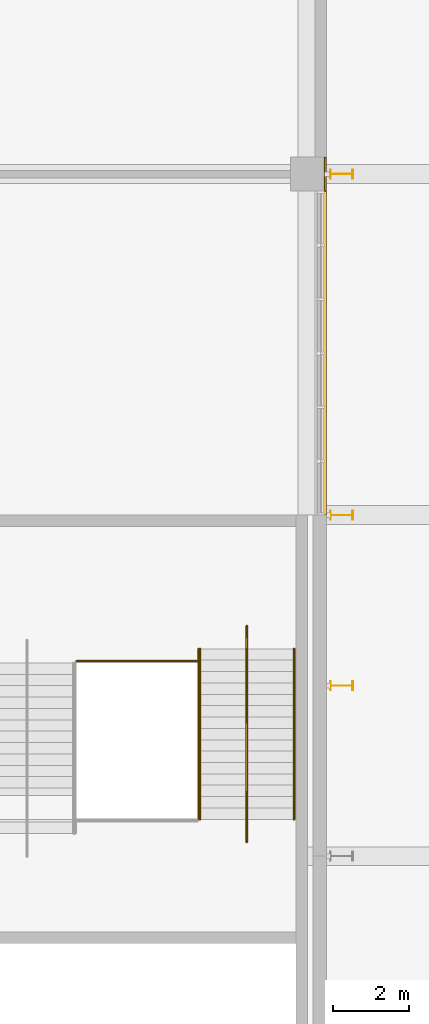
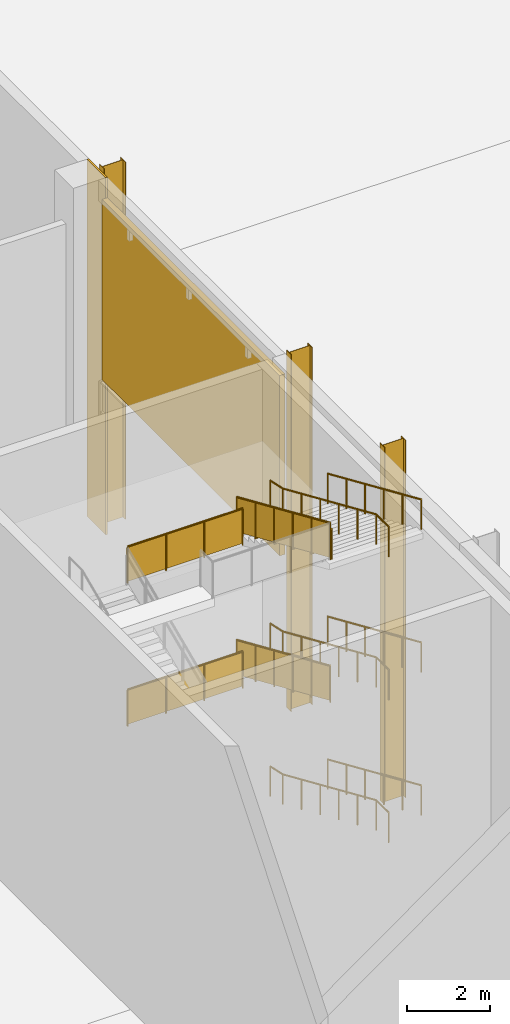
# One storey, part 168 of 182: 11 railings, 3 shading devices, 2 coverings.
"""IFC4 building model written with IfcOpenShell, lengths in metres."""

import ifcopenshell
import ifcopenshell.guid

model = None  # the IFC model being written
_history = None  # IfcOwnerHistory: only IFC2X3 demands one
_inside = {}  # id of a spatial element -> (the spatial element, [elements in it])
_under = {}  # id of a project, library or spatial element -> (it, [spatial elements below it])
_declared = {}  # id of a project -> (the project, [libraries it declares])
_typed = {}  # id of a type object -> (the type object, [elements of that type])
_made_of = {}  # id of a material, layer set ... -> (it, [elements and type objects made of it])


def new_model(schema):
    """Start an empty IFC model of exactly this schema.

    Asked for "IFC4X3", IfcOpenShell would pick the latest addendum, in which some entities
    have other attributes; the version numbers below select the first issue.
    IFC2X3 requires an IfcOwnerHistory on every rooted entity: one is made here for all.
    """
    global model, _history
    if schema == "IFC4X3":
        model = ifcopenshell.file(schema_version=(4, 3, 0, 0))
    else:
        model = ifcopenshell.file(schema=schema)
    _inside.clear()
    _under.clear()
    _declared.clear()
    _typed.clear()
    _made_of.clear()
    _history = None
    if model.schema == "IFC2X3":
        org = make("IfcOrganization", Name="unknown")
        user = make(
            "IfcPersonAndOrganization",
            ThePerson=make("IfcPerson", FamilyName="unknown"),
            TheOrganization=org,
        )
        app = make(
            "IfcApplication",
            ApplicationDeveloper=org,
            Version="unknown",
            ApplicationFullName="unknown",
            ApplicationIdentifier="unknown",
        )
        _history = make(
            "IfcOwnerHistory",
            OwningUser=user,
            OwningApplication=app,
            ChangeAction="ADDED",
            CreationDate=0,
        )
    return model


def make(cls, **values):
    """One entity of the class cls with the attributes given. An attribute that is None is left unset."""
    return model.create_entity(
        cls, **{name: value for name, value in values.items() if value is not None}
    )


def rooted(cls, **values):
    """An entity with a GlobalId (a new one), such as an element, a storey or a relation."""
    return make(cls, GlobalId=ifcopenshell.guid.new(), OwnerHistory=_history, **values)


def si_unit(unit_type, name, prefix=None):
    """IfcSIUnit, for example si_unit("LENGTHUNIT", "METRE", prefix="MILLI")."""
    return make("IfcSIUnit", UnitType=unit_type, Prefix=prefix, Name=name)


def assignment(units):
    """IfcUnitAssignment: the units of a project."""
    return None if units is None else make("IfcUnitAssignment", Units=units)


def point(xyz):
    """IfcCartesianPoint."""
    return None if xyz is None else make("IfcCartesianPoint", Coordinates=xyz)


def direction(xyz):
    """IfcDirection."""
    return None if xyz is None else make("IfcDirection", DirectionRatios=xyz)


def frame(location, z_axis=None, x_axis=None):
    """IfcAxis2Placement3D, a coordinate frame: its origin and axes. An axis left out is left unset."""
    return make(
        "IfcAxis2Placement3D",
        Location=point(location),
        Axis=direction(z_axis),
        RefDirection=direction(x_axis),
    )


def frame_2d(location, x_axis=None):
    """IfcAxis2Placement2D, a coordinate frame in the plane: its origin and x axis."""
    return make(
        "IfcAxis2Placement2D", Location=point(location), RefDirection=direction(x_axis)
    )


def origin():
    """The frame at (0, 0, 0) with its axes left unset."""
    return frame((0.0, 0.0, 0.0))


def origin_2d():
    """The frame at (0, 0) in the plane with its x axis left unset."""
    return frame_2d((0.0, 0.0))


def place(relative_to, where):
    """IfcLocalPlacement: puts the frame where relative to a parent placement (None: the world)."""
    return make(
        "IfcLocalPlacement", PlacementRelTo=relative_to, RelativePlacement=where
    )


def context(
    kind, dimensions, precision=None, world=None, true_north=None, identifier=None
):
    """IfcGeometricRepresentationContext, for example the 3D "Model" context."""
    return make(
        "IfcGeometricRepresentationContext",
        ContextIdentifier=identifier,
        ContextType=kind,
        CoordinateSpaceDimension=dimensions,
        Precision=precision,
        WorldCoordinateSystem=world,
        TrueNorth=true_north,
    )


def subcontext(parent, identifier, kind, view, scale=None):
    """IfcGeometricRepresentationSubContext, for example "Body" below "Model"."""
    return make(
        "IfcGeometricRepresentationSubContext",
        ContextIdentifier=identifier,
        ContextType=kind,
        ParentContext=parent,
        TargetScale=scale,
        TargetView=view,
    )


def project(units=None, contexts=None):
    """IfcProject with its units and contexts."""
    return rooted(
        "IfcProject",
        Name="project",
        RepresentationContexts=contexts,
        UnitsInContext=assignment(units),
    )


def spatial(cls, under=None, at=None, **own):
    """A site, building, storey or space (cls), placed at a placement, below another one or the project."""
    s = rooted(cls, ObjectPlacement=at, **own)
    if under is not None:
        _under.setdefault(under.id(), (under, []))[1].append(s)
    return s


def polyline(points):
    """IfcPolyline through the points."""
    return make("IfcPolyline", Points=[point(p) for p in points])


def profile(cls, at=None, kind="AREA", **sizes):
    """A parametric profile (cls). Its sizes go by their IFC names, for example OverallWidth=200.0."""
    return make(cls, ProfileType=kind, Position=at, **sizes)


def circle(**sizes):
    """IfcCircleProfileDef."""
    return profile("IfcCircleProfileDef", **sizes)


def i_section(**sizes):
    """IfcIShapeProfileDef."""
    return profile("IfcIShapeProfileDef", **sizes)


def outline(outer, holes=None, kind="AREA"):
    """IfcArbitraryClosedProfileDef: a profile drawn as a closed curve; with holes, ...WithVoids."""
    if holes is None:
        return make("IfcArbitraryClosedProfileDef", ProfileType=kind, OuterCurve=outer)
    return make(
        "IfcArbitraryProfileDefWithVoids",
        ProfileType=kind,
        OuterCurve=outer,
        InnerCurves=holes,
    )


def extrude(swept, where, along, depth):
    """IfcExtrudedAreaSolid: the profile swept, set in the frame where, extruded along a direction by depth."""
    return make(
        "IfcExtrudedAreaSolid",
        SweptArea=swept,
        Position=where,
        ExtrudedDirection=direction(along),
        Depth=depth,
    )


def shape(context_of_items, identifier, shape_type, items):
    """IfcShapeRepresentation: the items that make up one representation, for example the "Body"."""
    return make(
        "IfcShapeRepresentation",
        ContextOfItems=context_of_items,
        RepresentationIdentifier=identifier,
        RepresentationType=shape_type,
        Items=items,
    )


def material(Name=None, Category=None):
    """IfcMaterial."""
    return make("IfcMaterial", Name=Name, Category=Category)


def layer(
    of_material, thickness, ventilated=None, Name=None, Category=None, Priority=None
):
    """IfcMaterialLayer: one layer of a wall or slab, of a material (None: an air gap)."""
    return make(
        "IfcMaterialLayer",
        Material=of_material,
        LayerThickness=thickness,
        IsVentilated=ventilated,
        Name=Name,
        Category=Category,
        Priority=Priority,
    )


def layer_set(layers, Name=None):
    """IfcMaterialLayerSet."""
    return make("IfcMaterialLayerSet", MaterialLayers=layers, LayerSetName=Name)


def material_profile(
    of_material, cross_section, Name=None, Category=None, Priority=None
):
    """IfcMaterialProfile: a cross section and its material."""
    return make(
        "IfcMaterialProfile",
        Name=Name,
        Material=of_material,
        Profile=cross_section,
        Priority=Priority,
        Category=Category,
    )


def profile_set(profiles, Name=None, composite=None):
    """IfcMaterialProfileSet."""
    return make(
        "IfcMaterialProfileSet",
        Name=Name,
        MaterialProfiles=profiles,
        CompositeProfile=composite,
    )


def made_of(thing, what):
    """Note that an element or type object is made of a material, layer set ...; save() writes the relation."""
    if what is not None:
        _made_of.setdefault(what.id(), (what, []))[1].append(thing)
    return thing


def type_object(cls, material=None, **own):
    """A type object (cls), such as IfcWallType, which elements share."""
    return made_of(rooted(cls, **own), material)


def element(
    cls,
    number,
    at=None,
    inside=None,
    cuts=None,
    type_object=None,
    material=None,
    context=None,
    identifier="Body",
    shape_type=None,
    held_by="IfcProductDefinitionShape",
    body=None,
    shapes=None,
    **own,
):
    """One element of the class cls, such as IfcWall. Its Tag is "e" and its number.

    at: its placement. inside: the storey or other place that contains it. cuts: it is an
    opening in that element (IfcRelVoidsElement). A single representation is given by context,
    identifier, shape_type and body (its items); several are given by shapes. held_by: the class
    of the entity that holds the representations. save() writes the other relations.
    """
    e = rooted(cls, Tag="e%d" % number, ObjectPlacement=at, **own)
    if body is not None:
        shapes = [shape(context, identifier, shape_type, body)]
    if shapes is not None:
        e.Representation = make(held_by, Representations=shapes)
    if inside is not None:
        _inside.setdefault(inside.id(), (inside, []))[1].append(e)
    if cuts is not None:
        rooted(
            "IfcRelVoidsElement", RelatingBuildingElement=cuts, RelatedOpeningElement=e
        )
    if type_object is not None:
        _typed.setdefault(type_object.id(), (type_object, []))[1].append(e)
    return made_of(e, material)


def aggregate(whole, parts):
    """IfcRelAggregates: a whole, such as a stair, and the parts it consists of."""
    return rooted("IfcRelAggregates", RelatingObject=whole, RelatedObjects=parts)


def save(model, path):
    """Write the relations noted so far, then the file.

    IfcRelAggregates (storeys below a building ...), IfcRelContainedInSpatialStructure (elements
    in a storey), IfcRelDefinesByType, IfcRelAssociatesMaterial and IfcRelDeclares: one each for
    every whole, place, type object, material and project.
    """
    for whole, parts in _under.values():
        aggregate(whole, parts)
    for where, things in _inside.values():
        rooted(
            "IfcRelContainedInSpatialStructure",
            RelatedElements=things,
            RelatingStructure=where,
        )
    for kind, things in _typed.values():
        rooted("IfcRelDefinesByType", RelatedObjects=things, RelatingType=kind)
    for what, things in _made_of.values():
        rooted("IfcRelAssociatesMaterial", RelatedObjects=things, RelatingMaterial=what)
    for by, libraries in _declared.values():
        rooted("IfcRelDeclares", RelatingContext=by, RelatedDefinitions=libraries)
    model.write(path)


model = new_model("IFC4")

# Units and contexts
model_context = context("Model", 3, precision=1e-05, world=origin(), true_north=direction((0.0, 1.0)))
body_context = subcontext(model_context, "Body", "Model", "MODEL_VIEW")
ifc_project = project(units=[si_unit("LENGTHUNIT", "METRE"), si_unit("AREAUNIT", "SQUARE_METRE"), si_unit("VOLUMEUNIT", "CUBIC_METRE"), si_unit("PLANEANGLEUNIT", "RADIAN"), si_unit("MASSUNIT", "GRAM", prefix="KILO")], contexts=[model_context])

# Site, building, storey
site_placement = place(None, origin())
site = spatial("IfcSite", under=ifc_project, at=site_placement, CompositionType="ELEMENT")
building_placement = place(site_placement, origin())
building = spatial("IfcBuilding", under=site, at=building_placement, Name="Silverbay Arena", CompositionType="ELEMENT")
storey_placement = place(building_placement, frame((0.0, 0.0, 11.5)))
storey = spatial("IfcBuildingStorey", under=building, at=storey_placement, Name="L02", CompositionType="ELEMENT", Elevation=11.5)

# Coverings
ifc_material_1 = material(Name="Aluminium composite cladding", Category="aluminium")
ifc_layer_1 = layer(ifc_material_1, 0.050048828125)
ifc_layer_set_1 = layer_set([ifc_layer_1], Name="Aluminium composite cladding")
covering_type_1 = type_object("IfcCoveringType", Name="Column cladding 50", PredefinedType="CLADDING", material=ifc_layer_set_1)
covering_1_placement = place(storey_placement, origin())
element("IfcCovering", 1, at=covering_1_placement, inside=storey, type_object=covering_type_1, Name="East column cladding L02 12", PredefinedType="CLADDING", context=body_context, shape_type="SweptSolid", body=[
    extrude(outline(polyline([(207.449951171875, 116.550048828125), (207.5, 116.550048828125), (207.5, 117.449951171875), (207.449951171875, 117.449951171875), (207.449951171875, 116.550048828125)])), origin(), (0.0, 0.0, 1.0), 10.5),
])
ifc_material_2 = material(Name="Aluminium composite cladding", Category="aluminium")
ifc_layer_2 = layer(ifc_material_2, 0.14990234375)
ifc_layer_set_2 = layer_set([ifc_layer_2], Name="Aluminium composite cladding")
covering_type_2 = type_object("IfcCoveringType", Name="Facade cladding panel 150", PredefinedType="CLADDING", material=ifc_layer_set_2)
covering_2_placement = place(storey_placement, frame((0.0, 0.0, 4.60009765625)))
element("IfcCovering", 2, at=covering_2_placement, inside=storey, type_object=covering_type_2, Name="East facade cladding L02 bay 11", PredefinedType="CLADDING", context=body_context, shape_type="SweptSolid", body=[
    extrude(outline(polyline([(207.35009765625, 108.0), (207.5, 108.0), (207.5, 116.550048828125), (207.35009765625, 116.550048828125), (207.35009765625, 108.0)])), origin(), (0.0, 0.0, 1.0), 5.2998046875),
])

# Railings
ifc_material_3 = material(Name="Stainless steel", Category="steel")
railing_type_1 = type_object("IfcRailingType", Name="Stair guard 1100", PredefinedType="GUARDRAIL", material=ifc_material_3)
railing_1_placement = place(storey_placement, frame((204.125, 104.47412109375, 4.331298828125)))
element("IfcRailing", 3, at=railing_1_placement, inside=storey, type_object=railing_type_1, Name="Stair ST-E2 L02 to L03 flight 3 guard left", PredefinedType="GUARDRAIL", context=body_context, shape_type="SweptSolid", body=[
    extrude(circle(Radius=0.02392578125, at=origin_2d()), frame((0.0, 0.0, 1.076171875), z_axis=(0.0, -0.916157334902, 0.40081883402), x_axis=(1.0, 0.0, 0.0)), (0.0, 0.0, 1.0), 4.911865234375),
    extrude(outline(polyline([(-0.008056640625, 0.04638671875), (0.907958984375, 0.447265625), (0.907958984375, 1.4501953125), (-0.008056640625, 1.049560546875), (-0.008056640625, 0.04638671875)])), frame((0.0029296875, 0.0, 0.0), z_axis=(-1.0, 0.0, 0.0), x_axis=(0.0, -1.0, 0.0)), (0.0, 0.0, 1.0), 0.006103515625),
    extrude(outline(polyline([(-0.008056640625, 0.440185546875), (0.907958984375, 0.841064453125), (0.907958984375, 1.843994140625), (-0.008056640625, 1.443359375), (-0.008056640625, 0.440185546875)])), frame((0.0029296875, -0.89990234375, 0.0), z_axis=(-1.0, 0.0, 0.0), x_axis=(0.0, -1.0, 0.0)), (0.0, 0.0, 1.0), 0.006103515625),
    extrude(outline(polyline([(-0.008056640625, 0.833984375), (0.907958984375, 1.23486328125), (0.907958984375, 2.23779296875), (-0.008056640625, 1.8369140625), (-0.008056640625, 0.833984375)])), frame((0.0029296875, -1.800048828125, 0.0), z_axis=(-1.0, 0.0, 0.0), x_axis=(0.0, -1.0, 0.0)), (0.0, 0.0, 1.0), 0.006103515625),
    extrude(outline(polyline([(-0.008056640625, 1.227783203125), (0.907958984375, 1.62841796875), (0.907958984375, 2.631591796875), (-0.008056640625, 2.230712890625), (-0.008056640625, 1.227783203125)])), frame((0.0029296875, -2.699951171875, 0.0), z_axis=(-1.0, 0.0, 0.0), x_axis=(0.0, -1.0, 0.0)), (0.0, 0.0, 1.0), 0.006103515625),
    extrude(outline(polyline([(-0.008056640625, 1.62158203125), (0.907958984375, 2.022216796875), (0.907958984375, 3.025146484375), (-0.008056640625, 2.62451171875), (-0.008056640625, 1.62158203125)])), frame((0.0029296875, -3.60009765625, 0.0), z_axis=(-1.0, 0.0, 0.0), x_axis=(0.0, -1.0, 0.0)), (0.0, 0.0, 1.0), 0.006103515625),
    extrude(circle(Radius=0.02099609375, at=origin_2d()), origin(), (0.0, 0.0, 1.0), 1.052001953125),
    extrude(circle(Radius=0.02099609375, at=origin_2d()), frame((0.0, -0.89990234375, 0.393798828125)), (0.0, 0.0, 1.0), 1.052001953125),
    extrude(circle(Radius=0.02099609375, at=origin_2d()), frame((0.0, -1.800048828125, 0.78759765625)), (0.0, 0.0, 1.0), 1.052001953125),
    extrude(circle(Radius=0.02099609375, at=origin_2d()), frame((0.0, -2.699951171875, 1.18115234375)), (0.0, 0.0, 1.0), 1.052001953125),
    extrude(circle(Radius=0.02099609375, at=origin_2d()), frame((0.0, -3.60009765625, 1.574951171875)), (0.0, 0.0, 1.0), 1.052001953125),
    extrude(circle(Radius=0.02099609375, at=origin_2d()), frame((0.0, -4.5, 1.96875)), (0.0, 0.0, 1.0), 1.052001953125),
])
railing_2_placement = place(storey_placement, frame((204.125, 104.47412109375, 8.53125)))
element("IfcRailing", 4, at=railing_2_placement, inside=storey, type_object=railing_type_1, Name="Stair ST-E2 L02 to L03 flight 5 guard left", PredefinedType="GUARDRAIL", context=body_context, shape_type="SweptSolid", body=[
    extrude(circle(Radius=0.02392578125, at=origin_2d()), frame((0.0, 0.0, 1.076171875), z_axis=(0.0, -0.916157334902, 0.40081883402), x_axis=(1.0, 0.0, 0.0)), (0.0, 0.0, 1.0), 4.911865234375),
    extrude(outline(polyline([(-0.008056640625, 0.04638671875), (0.907958984375, 0.447265625), (0.907958984375, 1.4501953125), (-0.008056640625, 1.049560546875), (-0.008056640625, 0.04638671875)])), frame((0.0029296875, 0.0, 0.0), z_axis=(-1.0, 0.0, 0.0), x_axis=(0.0, -1.0, 0.0)), (0.0, 0.0, 1.0), 0.006103515625),
    extrude(outline(polyline([(-0.008056640625, 0.440185546875), (0.907958984375, 0.841064453125), (0.907958984375, 1.843994140625), (-0.008056640625, 1.443359375), (-0.008056640625, 0.440185546875)])), frame((0.0029296875, -0.89990234375, 0.0), z_axis=(-1.0, 0.0, 0.0), x_axis=(0.0, -1.0, 0.0)), (0.0, 0.0, 1.0), 0.006103515625),
    extrude(outline(polyline([(-0.008056640625, 0.833984375), (0.907958984375, 1.23486328125), (0.907958984375, 2.23779296875), (-0.008056640625, 1.8369140625), (-0.008056640625, 0.833984375)])), frame((0.0029296875, -1.800048828125, 0.0), z_axis=(-1.0, 0.0, 0.0), x_axis=(0.0, -1.0, 0.0)), (0.0, 0.0, 1.0), 0.006103515625),
    extrude(outline(polyline([(-0.008056640625, 1.227783203125), (0.907958984375, 1.62841796875), (0.907958984375, 2.631591796875), (-0.008056640625, 2.230712890625), (-0.008056640625, 1.227783203125)])), frame((0.0029296875, -2.699951171875, 0.0), z_axis=(-1.0, 0.0, 0.0), x_axis=(0.0, -1.0, 0.0)), (0.0, 0.0, 1.0), 0.006103515625),
    extrude(outline(polyline([(-0.008056640625, 1.62158203125), (0.907958984375, 2.022216796875), (0.907958984375, 3.025146484375), (-0.008056640625, 2.62451171875), (-0.008056640625, 1.62158203125)])), frame((0.0029296875, -3.60009765625, 0.0), z_axis=(-1.0, 0.0, 0.0), x_axis=(0.0, -1.0, 0.0)), (0.0, 0.0, 1.0), 0.006103515625),
    extrude(circle(Radius=0.02099609375, at=origin_2d()), origin(), (0.0, 0.0, 1.0), 1.052001953125),
    extrude(circle(Radius=0.02099609375, at=origin_2d()), frame((0.0, -0.89990234375, 0.393798828125)), (0.0, 0.0, 1.0), 1.052001953125),
    extrude(circle(Radius=0.02099609375, at=origin_2d()), frame((0.0, -1.800048828125, 0.78759765625)), (0.0, 0.0, 1.0), 1.052001953125),
    extrude(circle(Radius=0.02099609375, at=origin_2d()), frame((0.0, -2.699951171875, 1.18115234375)), (0.0, 0.0, 1.0), 1.052001953125),
    extrude(circle(Radius=0.02099609375, at=origin_2d()), frame((0.0, -3.60009765625, 1.574951171875)), (0.0, 0.0, 1.0), 1.052001953125),
    extrude(circle(Radius=0.02099609375, at=origin_2d()), frame((0.0, -4.5, 1.96875)), (0.0, 0.0, 1.0), 1.052001953125),
])
for number, where, name in (
    (5, (200.89990234375, 104.14990234375, 4.199951171875), "Stair ST-E2 L02 to L03 landing 2 guard"),
    (6, (200.89990234375, 104.14990234375, 8.39990234375), "Stair ST-E2 L02 to L03 landing 4 guard"),
):
    element("IfcRailing", number, at=place(storey_placement, frame(where)), inside=storey, type_object=railing_type_1, Name=name, PredefinedType="GUARDRAIL", context=body_context, shape_type="SweptSolid", body=[
        extrude(circle(Radius=0.02392578125, at=origin_2d()), frame((0.0, 0.0, 1.076171875), z_axis=(1.0, 0.0, 0.0), x_axis=(0.0, 1.0, 0.0)), (0.0, 0.0, 1.0), 3.2001953125),
        extrude(outline(polyline([(-0.008056640625, 0.050048828125), (1.07470703125, 0.050048828125), (1.07470703125, 1.052978515625), (-0.008056640625, 1.052978515625), (-0.008056640625, 0.050048828125)])), frame((0.0, 0.0029296875, 0.0), z_axis=(0.0, -1.0, 0.0), x_axis=(1.0, 0.0, 0.0)), (0.0, 0.0, 1.0), 0.006103515625),
        extrude(outline(polyline([(-0.008056640625, 0.050048828125), (1.07470703125, 0.050048828125), (1.07470703125, 1.052978515625), (-0.008056640625, 1.052978515625), (-0.008056640625, 0.050048828125)])), frame((1.066650390625, 0.0029296875, 0.0), z_axis=(0.0, -1.0, 0.0), x_axis=(1.0, 0.0, 0.0)), (0.0, 0.0, 1.0), 0.006103515625),
        extrude(outline(polyline([(-0.008056640625, 0.050048828125), (1.07470703125, 0.050048828125), (1.07470703125, 1.052978515625), (-0.008056640625, 1.052978515625), (-0.008056640625, 0.050048828125)])), frame((2.133544921875, 0.0029296875, 0.0), z_axis=(0.0, -1.0, 0.0), x_axis=(1.0, 0.0, 0.0)), (0.0, 0.0, 1.0), 0.006103515625),
        extrude(circle(Radius=0.02099609375, at=origin_2d()), origin(), (0.0, 0.0, 1.0), 1.052001953125),
        extrude(circle(Radius=0.02099609375, at=origin_2d()), frame((1.066650390625, 0.0, 0.0)), (0.0, 0.0, 1.0), 1.052001953125),
        extrude(circle(Radius=0.02099609375, at=origin_2d()), frame((2.133544921875, 0.0, 0.0)), (0.0, 0.0, 1.0), 1.052001953125),
        extrude(circle(Radius=0.02099609375, at=origin_2d()), frame((3.2001953125, 0.0, 0.0)), (0.0, 0.0, 1.0), 1.052001953125),
    ])
ifc_material_4 = material(Name="Stainless steel", Category="steel")
railing_type_2 = type_object("IfcRailingType", Name="Stair handrail 900", PredefinedType="HANDRAIL", material=ifc_material_4)
railing_3_placement = place(storey_placement, frame((206.64990234375, 104.47412109375, 0.13134765625)))
element("IfcRailing", 7, at=railing_3_placement, inside=storey, type_object=railing_type_2, Name="Stair ST-E2 L02 to L03 flight 1 handrail right", PredefinedType="HANDRAIL", context=body_context, shape_type="SweptSolid", body=[
    extrude(circle(Radius=0.02392578125, at=origin_2d()), frame((0.0, 0.0, 0.8759765625), z_axis=(0.0, -0.916157334902, 0.40081883402), x_axis=(1.0, 0.0, 0.0)), (0.0, 0.0, 1.0), 4.911865234375),
    extrude(circle(Radius=0.02099609375, at=origin_2d()), origin(), (0.0, 0.0, 1.0), 0.851806640625),
    extrude(circle(Radius=0.02099609375, at=origin_2d()), frame((0.0, -0.89990234375, 0.393798828125)), (0.0, 0.0, 1.0), 0.851806640625),
    extrude(circle(Radius=0.02099609375, at=origin_2d()), frame((0.0, -1.800048828125, 0.78759765625)), (0.0, 0.0, 1.0), 0.851806640625),
    extrude(circle(Radius=0.02099609375, at=origin_2d()), frame((0.0, -2.699951171875, 1.18115234375)), (0.0, 0.0, 1.0), 0.851806640625),
    extrude(circle(Radius=0.02099609375, at=origin_2d()), frame((0.0, -3.60009765625, 1.574951171875)), (0.0, 0.0, 1.0), 0.851806640625),
    extrude(circle(Radius=0.02099609375, at=origin_2d()), frame((0.0, -4.5, 1.96875)), (0.0, 0.0, 1.0), 0.851806640625),
])
railing_4_placement = place(storey_placement, frame((205.39990234375, 105.07421875, 0.0)))
element("IfcRailing", 8, at=railing_4_placement, inside=storey, type_object=railing_type_2, Name="Stair ST-E2 L02 to L03 flight 1 central handrail", PredefinedType="HANDRAIL", context=body_context, shape_type="SweptSolid", body=[
    extrude(circle(Radius=0.02392578125, at=origin_2d()), frame((0.0, 0.0, 0.8759765625), z_axis=(0.0, -0.976874083041, 0.213815401414), x_axis=(1.0, 0.0, 0.0)), (0.0, 0.0, 1.0), 0.6142578125),
    extrude(circle(Radius=0.02392578125, at=origin_2d()), frame((0.0, -0.60009765625, 1.00732421875), z_axis=(0.0, -0.916157334902, 0.40081883402), x_axis=(1.0, 0.0, 0.0)), (0.0, 0.0, 1.0), 4.911865234375),
    extrude(circle(Radius=0.02392578125, at=origin_2d()), frame((0.0, -5.10009765625, 2.97607421875), z_axis=(0.0, -1.0, 0.0), x_axis=(1.0, 0.0, 0.0)), (0.0, 0.0, 1.0), 0.599853515625),
    extrude(circle(Radius=0.02099609375, at=origin_2d()), origin(), (0.0, 0.0, 1.0), 0.851806640625),
    extrude(circle(Radius=0.02099609375, at=origin_2d()), frame((0.0, -0.60009765625, 0.13134765625)), (0.0, 0.0, 1.0), 0.851806640625),
    extrude(circle(Radius=0.02099609375, at=origin_2d()), frame((0.0, -1.5, 0.525146484375)), (0.0, 0.0, 1.0), 0.851806640625),
    extrude(circle(Radius=0.02099609375, at=origin_2d()), frame((0.0, -2.400146484375, 0.9189453125)), (0.0, 0.0, 1.0), 0.851806640625),
    extrude(circle(Radius=0.02099609375, at=origin_2d()), frame((0.0, -3.300048828125, 1.3125)), (0.0, 0.0, 1.0), 0.851806640625),
    extrude(circle(Radius=0.02099609375, at=origin_2d()), frame((0.0, -4.2001953125, 1.706298828125)), (0.0, 0.0, 1.0), 0.851806640625),
    extrude(circle(Radius=0.02099609375, at=origin_2d()), frame((0.0, -5.10009765625, 2.10009765625)), (0.0, 0.0, 1.0), 0.851806640625),
    extrude(circle(Radius=0.02099609375, at=origin_2d()), frame((0.0, -5.699951171875, 2.10009765625)), (0.0, 0.0, 1.0), 0.851806640625),
])
railing_5_placement = place(storey_placement, frame((206.64990234375, 104.47412109375, 4.331298828125)))
element("IfcRailing", 9, at=railing_5_placement, inside=storey, type_object=railing_type_2, Name="Stair ST-E2 L02 to L03 flight 3 handrail right", PredefinedType="HANDRAIL", context=body_context, shape_type="SweptSolid", body=[
    extrude(circle(Radius=0.02392578125, at=origin_2d()), frame((0.0, 0.0, 0.8759765625), z_axis=(0.0, -0.916157334902, 0.40081883402), x_axis=(1.0, 0.0, 0.0)), (0.0, 0.0, 1.0), 4.911865234375),
    extrude(circle(Radius=0.02099609375, at=origin_2d()), origin(), (0.0, 0.0, 1.0), 0.851806640625),
    extrude(circle(Radius=0.02099609375, at=origin_2d()), frame((0.0, -0.89990234375, 0.393798828125)), (0.0, 0.0, 1.0), 0.851806640625),
    extrude(circle(Radius=0.02099609375, at=origin_2d()), frame((0.0, -1.800048828125, 0.78759765625)), (0.0, 0.0, 1.0), 0.851806640625),
    extrude(circle(Radius=0.02099609375, at=origin_2d()), frame((0.0, -2.699951171875, 1.18115234375)), (0.0, 0.0, 1.0), 0.851806640625),
    extrude(circle(Radius=0.02099609375, at=origin_2d()), frame((0.0, -3.60009765625, 1.574951171875)), (0.0, 0.0, 1.0), 0.851806640625),
    extrude(circle(Radius=0.02099609375, at=origin_2d()), frame((0.0, -4.5, 1.96875)), (0.0, 0.0, 1.0), 0.851806640625),
])
railing_6_placement = place(storey_placement, frame((205.39990234375, 105.07421875, 4.199951171875)))
element("IfcRailing", 10, at=railing_6_placement, inside=storey, type_object=railing_type_2, Name="Stair ST-E2 L02 to L03 flight 3 central handrail", PredefinedType="HANDRAIL", context=body_context, shape_type="SweptSolid", body=[
    extrude(circle(Radius=0.02392578125, at=origin_2d()), frame((0.0, 0.0, 0.8759765625), z_axis=(0.0, -0.976874083041, 0.213815401414), x_axis=(1.0, 0.0, 0.0)), (0.0, 0.0, 1.0), 0.6142578125),
    extrude(circle(Radius=0.02392578125, at=origin_2d()), frame((0.0, -0.60009765625, 1.00732421875), z_axis=(0.0, -0.916157334902, 0.40081883402), x_axis=(1.0, 0.0, 0.0)), (0.0, 0.0, 1.0), 4.911865234375),
    extrude(circle(Radius=0.02392578125, at=origin_2d()), frame((0.0, -5.10009765625, 2.97607421875), z_axis=(0.0, -1.0, 0.0), x_axis=(1.0, 0.0, 0.0)), (0.0, 0.0, 1.0), 0.599853515625),
    extrude(circle(Radius=0.02099609375, at=origin_2d()), origin(), (0.0, 0.0, 1.0), 0.851806640625),
    extrude(circle(Radius=0.02099609375, at=origin_2d()), frame((0.0, -0.60009765625, 0.13134765625)), (0.0, 0.0, 1.0), 0.851806640625),
    extrude(circle(Radius=0.02099609375, at=origin_2d()), frame((0.0, -1.5, 0.525146484375)), (0.0, 0.0, 1.0), 0.851806640625),
    extrude(circle(Radius=0.02099609375, at=origin_2d()), frame((0.0, -2.400146484375, 0.9189453125)), (0.0, 0.0, 1.0), 0.851806640625),
    extrude(circle(Radius=0.02099609375, at=origin_2d()), frame((0.0, -3.300048828125, 1.3125)), (0.0, 0.0, 1.0), 0.851806640625),
    extrude(circle(Radius=0.02099609375, at=origin_2d()), frame((0.0, -4.2001953125, 1.706298828125)), (0.0, 0.0, 1.0), 0.851806640625),
    extrude(circle(Radius=0.02099609375, at=origin_2d()), frame((0.0, -5.10009765625, 2.10009765625)), (0.0, 0.0, 1.0), 0.851806640625),
    extrude(circle(Radius=0.02099609375, at=origin_2d()), frame((0.0, -5.699951171875, 2.10009765625)), (0.0, 0.0, 1.0), 0.851806640625),
])
for number, where, name in (
    (11, (204.1640625, 104.47412109375, 8.53125), "Stair ST-E2 L02 to L03 flight 5 handrail left"),
    (12, (206.64990234375, 104.47412109375, 8.53125), "Stair ST-E2 L02 to L03 flight 5 handrail right"),
):
    element("IfcRailing", number, at=place(storey_placement, frame(where)), inside=storey, type_object=railing_type_2, Name=name, PredefinedType="HANDRAIL", context=body_context, shape_type="SweptSolid", body=[
        extrude(circle(Radius=0.02392578125, at=origin_2d()), frame((0.0, 0.0, 0.8759765625), z_axis=(0.0, -0.916157334902, 0.40081883402), x_axis=(1.0, 0.0, 0.0)), (0.0, 0.0, 1.0), 4.911865234375),
        extrude(circle(Radius=0.02099609375, at=origin_2d()), origin(), (0.0, 0.0, 1.0), 0.851806640625),
        extrude(circle(Radius=0.02099609375, at=origin_2d()), frame((0.0, -0.89990234375, 0.393798828125)), (0.0, 0.0, 1.0), 0.851806640625),
        extrude(circle(Radius=0.02099609375, at=origin_2d()), frame((0.0, -1.800048828125, 0.78759765625)), (0.0, 0.0, 1.0), 0.851806640625),
        extrude(circle(Radius=0.02099609375, at=origin_2d()), frame((0.0, -2.699951171875, 1.18115234375)), (0.0, 0.0, 1.0), 0.851806640625),
        extrude(circle(Radius=0.02099609375, at=origin_2d()), frame((0.0, -3.60009765625, 1.574951171875)), (0.0, 0.0, 1.0), 0.851806640625),
        extrude(circle(Radius=0.02099609375, at=origin_2d()), frame((0.0, -4.5, 1.96875)), (0.0, 0.0, 1.0), 0.851806640625),
    ])
railing_7_placement = place(storey_placement, frame((205.39990234375, 105.07421875, 8.39990234375)))
element("IfcRailing", 13, at=railing_7_placement, inside=storey, type_object=railing_type_2, Name="Stair ST-E2 L02 to L03 flight 5 central handrail", PredefinedType="HANDRAIL", context=body_context, shape_type="SweptSolid", body=[
    extrude(circle(Radius=0.02392578125, at=origin_2d()), frame((0.0, 0.0, 0.8759765625), z_axis=(0.0, -0.976874083041, 0.213815401414), x_axis=(1.0, 0.0, 0.0)), (0.0, 0.0, 1.0), 0.6142578125),
    extrude(circle(Radius=0.02392578125, at=origin_2d()), frame((0.0, -0.60009765625, 1.00732421875), z_axis=(0.0, -0.916157334902, 0.40081883402), x_axis=(1.0, 0.0, 0.0)), (0.0, 0.0, 1.0), 4.911865234375),
    extrude(circle(Radius=0.02392578125, at=origin_2d()), frame((0.0, -5.10009765625, 2.97607421875), z_axis=(0.0, -1.0, 0.0), x_axis=(1.0, 0.0, 0.0)), (0.0, 0.0, 1.0), 0.599853515625),
    extrude(circle(Radius=0.02099609375, at=origin_2d()), origin(), (0.0, 0.0, 1.0), 0.851806640625),
    extrude(circle(Radius=0.02099609375, at=origin_2d()), frame((0.0, -0.60009765625, 0.13134765625)), (0.0, 0.0, 1.0), 0.851806640625),
    extrude(circle(Radius=0.02099609375, at=origin_2d()), frame((0.0, -1.5, 0.525146484375)), (0.0, 0.0, 1.0), 0.851806640625),
    extrude(circle(Radius=0.02099609375, at=origin_2d()), frame((0.0, -2.400146484375, 0.9189453125)), (0.0, 0.0, 1.0), 0.851806640625),
    extrude(circle(Radius=0.02099609375, at=origin_2d()), frame((0.0, -3.300048828125, 1.3125)), (0.0, 0.0, 1.0), 0.851806640625),
    extrude(circle(Radius=0.02099609375, at=origin_2d()), frame((0.0, -4.2001953125, 1.706298828125)), (0.0, 0.0, 1.0), 0.851806640625),
    extrude(circle(Radius=0.02099609375, at=origin_2d()), frame((0.0, -5.10009765625, 2.10009765625)), (0.0, 0.0, 1.0), 0.851806640625),
    extrude(circle(Radius=0.02099609375, at=origin_2d()), frame((0.0, -5.699951171875, 2.10009765625)), (0.0, 0.0, 1.0), 0.851806640625),
])

# Shading devices
ifc_material_5 = material(Name="Steel S355", Category="steel")
ifc_material_profile = material_profile(ifc_material_5, i_section(OverallWidth=0.2275390625, OverallDepth=0.6025390625, WebThickness=0.010498046875, FlangeThickness=0.014892578125, at=origin_2d()), Name="UB 610x229x101")
ifc_profile_set = profile_set([ifc_material_profile], Name="Steel S355")
shading_device_type = type_object("IfcShadingDeviceType", Name="Steel fin UB 610x229x101", PredefinedType="USERDEFINED", material=ifc_profile_set)
for number, where, z_axis, x_axis, name in (
    (14, (207.9013671875, 103.5, 0.0), (0.0, 0.0, 1.0), (0.0, 1.0, 0.0), "Steel fin E L02 19"),
    (15, (207.9013671875, 108.0, 0.0), (0.0, 0.0, 1.0), (0.0, 1.0, 0.0), "Steel fin E L02 20"),
    (16, (207.9013671875, 117.0, 0.0), (0.0, 0.0, 1.0), (0.0, 1.0, 0.0), "Steel fin E L02 22"),
):
    element("IfcShadingDevice", number, at=place(storey_placement, frame(where, z_axis=z_axis, x_axis=x_axis)), inside=storey, type_object=shading_device_type, Name=name, ObjectType="FIN", PredefinedType="USERDEFINED", context=body_context, shape_type="SweptSolid", body=[
        extrude(i_section(OverallWidth=0.2275390625, OverallDepth=0.6025390625, WebThickness=0.010498046875, FlangeThickness=0.014892578125, at=origin_2d()), origin(), (0.0, 0.0, 1.0), 10.5),
    ])

save(model, "model.ifc")
